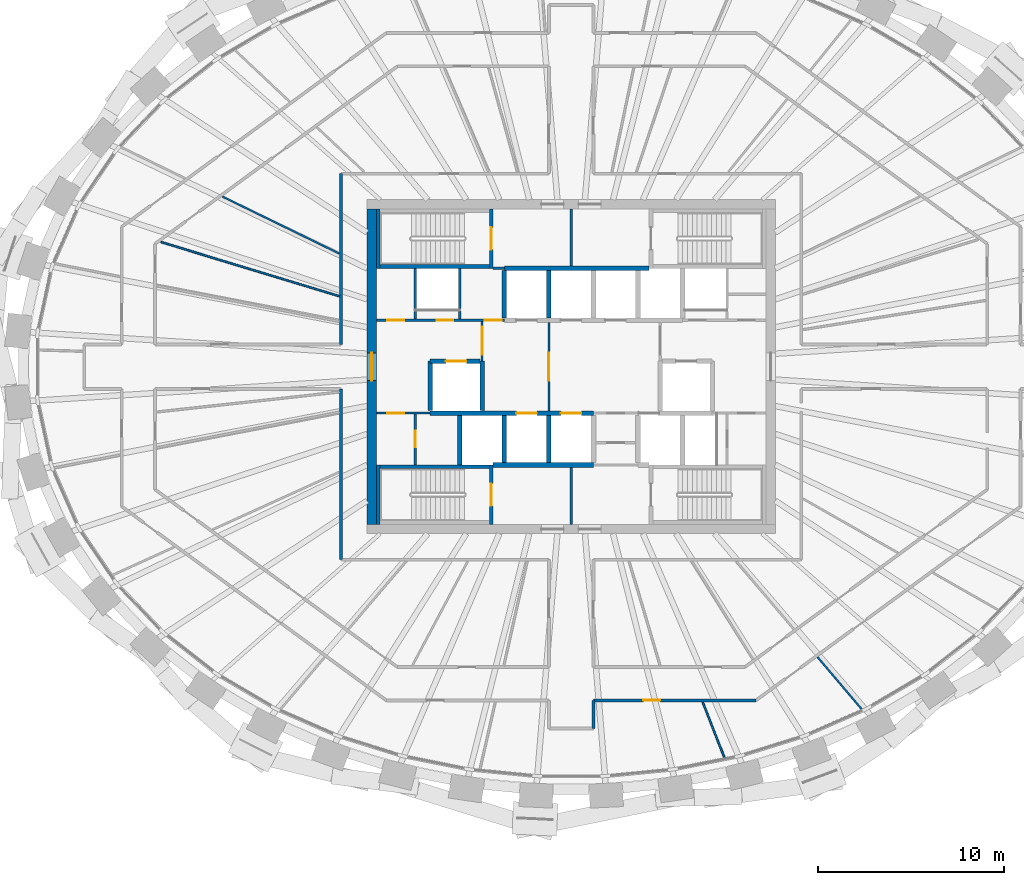
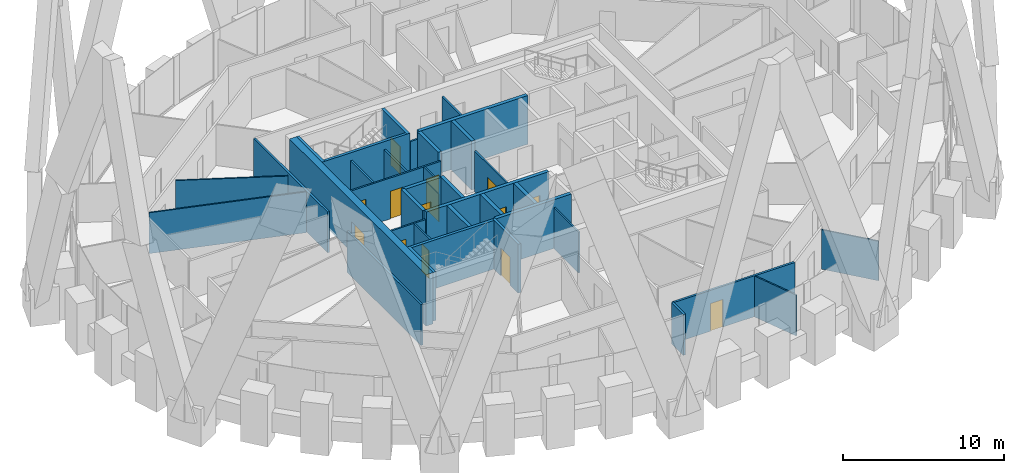
# One storey, part 8 of 13: 36 walls, 14 doors, 14 openings.
"""IFC4 building model written with IfcOpenShell, lengths in metres."""

from ifc_helpers import new_model, si_unit, direction, frame, frame_2d, origin, place, context, subcontext, project, spatial, rectangle, extrude, source, transform, mapped, material, layer, layer_set, type_object, element, fill, save


model = new_model("IFC4")

# Units and contexts
model_context = context("Model", 3, precision=1e-05, world=origin(), true_north=direction((0.0, 1.0)))
body_context = subcontext(model_context, "Body", "Model", "MODEL_VIEW")
ifc_project = project(units=[si_unit("LENGTHUNIT", "METRE"), si_unit("AREAUNIT", "SQUARE_METRE"), si_unit("VOLUMEUNIT", "CUBIC_METRE"), si_unit("PLANEANGLEUNIT", "RADIAN"), si_unit("MASSUNIT", "GRAM", prefix="KILO")], contexts=[model_context])

# Site, building, storey
site_placement = place(None, origin())
site = spatial("IfcSite", under=ifc_project, at=site_placement, CompositionType="ELEMENT")
building_placement = place(site_placement, origin())
building = spatial("IfcBuilding", under=site, at=building_placement, Name="Embergate Tower", CompositionType="ELEMENT")
storey_placement = place(building_placement, frame((0.0, 0.0, 316.89990234375)))
storey = spatial("IfcBuildingStorey", under=building, at=storey_placement, Name="L74", CompositionType="ELEMENT", Elevation=316.89990234375)

# Wall, opening, door
ifc_material_1 = material(Name="Concrete C50", Category="concrete")
ifc_layer_1 = layer(ifc_material_1, 0.5)
ifc_layer_set_1 = layer_set([ifc_layer_1], Name="Concrete C50")
wall_type_1 = type_object("IfcWallType", Name="Core outer wall C50 500", PredefinedType="SHEAR", material=ifc_layer_set_1)
shared_shape_1 = source(origin(), body_context, "Body", "SweptSolid", [
    extrude(rectangle(XDim=17.0, YDim=0.5, at=frame_2d((8.5, 0.0))), origin(), (0.0, 0.0, 1.0), 3.900146484375),
])
wall_1_placement = place(storey_placement, frame((-10.75, -8.5, -0.199951171875), z_axis=(0.0, 0.0, 1.0), x_axis=(0.0, 1.0, 0.0)))
wall_1 = element("IfcWall", 1, at=wall_1_placement, inside=storey, type_object=wall_type_1, Name="CW-L74-W", PredefinedType="SHEAR", context=body_context, shape_type="MappedRepresentation", body=[
    mapped(shared_shape_1, transform((0.0, 0.0, 0.0))),
])
shared_shape_2 = source(origin(), body_context, "Body", "SweptSolid", [
    extrude(rectangle(XDim=1.5, YDim=2.10009765625, at=frame_2d((0.75, 1.050048828125))), frame((0.0, 0.260009765625, 0.0), z_axis=(0.0, -1.0, 0.0), x_axis=(1.0, 0.0, 0.0)), (0.0, 0.0, 1.0), 0.52001953125),
])
opening_1_placement = place(wall_1_placement, frame((7.75, 0.0, 0.199951171875)))
opening_1 = element("IfcOpeningElement", 2, at=opening_1_placement, cuts=wall_1, Name="Opening IF-3", PredefinedType="OPENING", context=body_context, shape_type="MappedRepresentation", body=[
    mapped(shared_shape_2, transform((0.0, 0.0, 0.0))),
])
ifc_material_2 = material(Name="Lobby fire door pair 1500")
door_type_1 = type_object("IfcDoorType", Name="Lobby fire door pair 1500", OperationType="DOUBLE_DOOR_SINGLE_SWING", PredefinedType="DOOR", material=ifc_material_2)
shared_shape_3 = source(origin(), body_context, "Body", "SweptSolid", [
    extrude(rectangle(XDim=1.5, YDim=2.10009765625, at=frame_2d((0.75, 1.050048828125))), frame((0.0, 0.02490234375, 0.0), z_axis=(0.0, -1.0, 0.0), x_axis=(1.0, 0.0, 0.0)), (0.0, 0.0, 1.0), 0.050048828125),
])
door_1_placement = place(opening_1_placement, origin())
door_1 = element("IfcDoor", 3, at=door_1_placement, inside=storey, type_object=door_type_1, Name="IF-3 door", OperationType="DOUBLE_DOOR_SINGLE_SWING", OverallHeight=2.10009765625, OverallWidth=1.5, PredefinedType="DOOR", context=body_context, shape_type="MappedRepresentation", body=[
    mapped(shared_shape_3, transform((0.0, 0.0, 0.0))),
])
fill(opening_1, door_1)

# Walls
ifc_material_3 = material(Name="Core partition blockwork 120")
ifc_layer_2 = layer(ifc_material_3, 0.1201171875)
ifc_layer_set_2 = layer_set([ifc_layer_2], Name="Core partition blockwork 120")
wall_type_2 = type_object("IfcWallType", Name="Core partition blockwork 120", PredefinedType="PARTITIONING", material=ifc_layer_set_2)
shared_shape_4 = source(origin(), body_context, "Body", "SweptSolid", [
    extrude(rectangle(XDim=2.739990234375, YDim=0.1201171875, at=frame_2d((1.3701171875, 0.0))), origin(), (0.0, 0.0, 1.0), 3.10009765625),
])
for number, where, z_axis, x_axis, name in (
    (4, (-6.0, 2.56005859375, 0.0), (0.0, 0.0, 1.0), (0.0, 1.0, 0.0), "IP-3 wall"),
    (5, (-8.39990234375, 5.300048828125, 0.0), (0.0, 0.0, 1.0), (0.0, -1.0, 0.0), "IP-3 wall"),
):
    element("IfcWall", number, at=place(storey_placement, frame(where, z_axis=z_axis, x_axis=x_axis)), inside=storey, type_object=wall_type_2, Name=name, PredefinedType="PARTITIONING", context=body_context, shape_type="MappedRepresentation", body=[
        mapped(shared_shape_4, transform((0.0, 0.0, 0.0))),
    ])

# Wall, opening, door
wall_2_placement = place(storey_placement, frame((-8.39990234375, -2.56005859375, 0.0), z_axis=(0.0, 0.0, 1.0), x_axis=(0.0, -1.0, 0.0)))
wall_2 = element("IfcWall", 6, at=wall_2_placement, inside=storey, type_object=wall_type_2, Name="IP-3 wall", PredefinedType="PARTITIONING", context=body_context, shape_type="MappedRepresentation", body=[
    mapped(shared_shape_4, transform((0.0, 0.0, 0.0))),
])
shared_shape_5 = source(origin(), body_context, "Body", "SweptSolid", [
    extrude(rectangle(XDim=0.89990234375, YDim=2.10009765625, at=frame_2d((0.449951171875, 1.050048828125))), frame((0.0, 0.070068359375, 0.0), z_axis=(0.0, -1.0, 0.0), x_axis=(1.0, 0.0, 0.0)), (0.0, 0.0, 1.0), 0.14013671875),
])
opening_2_placement = place(wall_2_placement, frame((0.889892578125, 0.0, 0.0)))
opening_2 = element("IfcOpeningElement", 7, at=opening_2_placement, cuts=wall_2, Name="Opening ID-1", PredefinedType="OPENING", context=body_context, shape_type="MappedRepresentation", body=[
    mapped(shared_shape_5, transform((0.0, 0.0, 0.0))),
])
ifc_material_4 = material(Name="Interior door 900")
door_type_2 = type_object("IfcDoorType", Name="Interior door 900", OperationType="SINGLE_SWING_LEFT", PredefinedType="DOOR", material=ifc_material_4)
shared_shape_6 = source(origin(), body_context, "Body", "SweptSolid", [
    extrude(rectangle(XDim=0.89990234375, YDim=2.10009765625, at=frame_2d((0.449951171875, 1.050048828125))), frame((0.0, 0.02490234375, 0.0), z_axis=(0.0, -1.0, 0.0), x_axis=(1.0, 0.0, 0.0)), (0.0, 0.0, 1.0), 0.050048828125),
])
door_2_placement = place(opening_2_placement, origin())
door_2 = element("IfcDoor", 8, at=door_2_placement, inside=storey, type_object=door_type_2, Name="ID-1 door", OperationType="SINGLE_SWING_LEFT", OverallHeight=2.10009765625, OverallWidth=0.89990234375, PredefinedType="DOOR", context=body_context, shape_type="MappedRepresentation", body=[
    mapped(shared_shape_6, transform((0.0, 0.0, 0.0))),
])
fill(opening_2, door_2)

shared_shape_7 = source(origin(), body_context, "Body", "SweptSolid", [
    extrude(rectangle(XDim=4.75, YDim=0.1201171875, at=frame_2d((2.375, 0.0))), origin(), (0.0, 0.0, 1.0), 3.10009765625),
])
wall_3_placement = place(storey_placement, frame((-1.199951171875, -2.375, 0.0), z_axis=(0.0, 0.0, 1.0), x_axis=(0.0, 1.0, 0.0)))
wall_3 = element("IfcWall", 9, at=wall_3_placement, inside=storey, type_object=wall_type_2, Name="IP-3 wall", PredefinedType="PARTITIONING", context=body_context, shape_type="MappedRepresentation", body=[
    mapped(shared_shape_7, transform((0.0, 0.0, 0.0))),
])
shared_shape_8 = source(origin(), body_context, "Body", "SweptSolid", [
    extrude(rectangle(XDim=1.5, YDim=2.10009765625, at=frame_2d((0.75, 1.050048828125))), frame((0.0, 0.070068359375, 0.0), z_axis=(0.0, -1.0, 0.0), x_axis=(1.0, 0.0, 0.0)), (0.0, 0.0, 1.0), 0.14013671875),
])
opening_3_placement = place(wall_3_placement, frame((1.625, 0.0, 0.0)))
opening_3 = element("IfcOpeningElement", 10, at=opening_3_placement, cuts=wall_3, Name="Opening IF-3", PredefinedType="OPENING", context=body_context, shape_type="MappedRepresentation", body=[
    mapped(shared_shape_8, transform((0.0, 0.0, 0.0))),
])
door_3_placement = place(opening_3_placement, origin())
door_3 = element("IfcDoor", 11, at=door_3_placement, inside=storey, type_object=door_type_1, Name="IF-3 door", OperationType="DOUBLE_DOOR_SINGLE_SWING", OverallHeight=2.10009765625, OverallWidth=1.5, PredefinedType="DOOR", context=body_context, shape_type="MappedRepresentation", body=[
    mapped(shared_shape_3, transform((0.0, 0.0, 0.0))),
])
fill(opening_3, door_3)

# Walls
ifc_layer_3 = layer(ifc_material_1, 0.25)
ifc_layer_set_3 = layer_set([ifc_layer_3], Name="Concrete C50")
wall_type_3 = type_object("IfcWallType", Name="Hoistway wall reinforced concrete 250", PredefinedType="SHEAR", material=ifc_layer_set_3)
shared_shape_9 = source(origin(), body_context, "Body", "SweptSolid", [
    extrude(rectangle(XDim=2.675048828125, YDim=0.25, at=frame_2d((1.33740234375, 0.0))), origin(), (0.0, 0.0, 1.0), 3.7001953125),
])
for number, where, z_axis, x_axis, name in (
    (12, (-6.0, -5.300048828125, 0.0), (0.0, 0.0, 1.0), (0.0, 1.0, 0.0), "HW-1 wall"),
    (13, (-4.800048828125, 0.300048828125, 0.0), (0.0, 0.0, 1.0), (0.0, -1.0, 0.0), "HW-1 wall"),
):
    element("IfcWall", number, at=place(storey_placement, frame(where, z_axis=z_axis, x_axis=x_axis)), inside=storey, type_object=wall_type_3, Name=name, PredefinedType="SHEAR", context=body_context, shape_type="MappedRepresentation", body=[
        mapped(shared_shape_9, transform((0.0, 0.0, 0.0))),
    ])

# Wall, opening, door
wall_4_placement = place(storey_placement, frame((-4.925048828125, 0.300048828125, 0.0), z_axis=(0.0, 0.0, 1.0), x_axis=(-1.0, 0.0, 0.0)))
wall_4 = element("IfcWall", 14, at=wall_4_placement, inside=storey, type_object=wall_type_3, Name="HW-1 wall", PredefinedType="SHEAR", context=body_context, shape_type="MappedRepresentation", body=[
    mapped(shared_shape_9, transform((0.0, 0.0, 0.0))),
])
shared_shape_10 = source(origin(), body_context, "Body", "SweptSolid", [
    extrude(rectangle(XDim=1.10009765625, YDim=2.10009765625, at=frame_2d((0.550048828125, 1.050048828125))), frame((0.0, 0.135009765625, 0.0), z_axis=(0.0, -1.0, 0.0), x_axis=(1.0, 0.0, 0.0)), (0.0, 0.0, 1.0), 0.27001953125),
])
opening_4_placement = place(wall_4_placement, frame((0.72509765625, 0.0, 0.0)))
opening_4 = element("IfcOpeningElement", 15, at=opening_4_placement, cuts=wall_4, Name="Opening LD", PredefinedType="OPENING", context=body_context, shape_type="MappedRepresentation", body=[
    mapped(shared_shape_10, transform((0.0, 0.0, 0.0))),
])
ifc_material_5 = material(Name="Landing door sliding 1100")
door_type_3 = type_object("IfcDoorType", Name="Landing door sliding 1100", OperationType="SLIDING_TO_LEFT", PredefinedType="DOOR", material=ifc_material_5)
shared_shape_11 = source(origin(), body_context, "Body", "SweptSolid", [
    extrude(rectangle(XDim=1.10009765625, YDim=2.10009765625, at=frame_2d((0.550048828125, 1.050048828125))), frame((0.0, 0.02490234375, 0.0), z_axis=(0.0, -1.0, 0.0), x_axis=(1.0, 0.0, 0.0)), (0.0, 0.0, 1.0), 0.050048828125),
])
door_4_placement = place(opening_4_placement, origin())
door_4 = element("IfcDoor", 16, at=door_4_placement, inside=storey, type_object=door_type_3, Name="LD door", OperationType="SLIDING_TO_LEFT", OverallHeight=2.10009765625, OverallWidth=1.10009765625, PredefinedType="DOOR", context=body_context, shape_type="MappedRepresentation", body=[
    mapped(shared_shape_11, transform((0.0, 0.0, 0.0))),
])
fill(opening_4, door_4)

# Walls
wall_5_placement = place(storey_placement, frame((-7.60009765625, 0.300048828125, 0.0), z_axis=(0.0, 0.0, 1.0), x_axis=(0.0, -1.0, 0.0)))
element("IfcWall", 17, at=wall_5_placement, inside=storey, type_object=wall_type_3, Name="HW-1 wall", PredefinedType="SHEAR", context=body_context, shape_type="MappedRepresentation", body=[
    mapped(shared_shape_9, transform((0.0, 0.0, 0.0))),
])
ifc_layer_4 = layer(ifc_material_1, 0.199951171875)
ifc_layer_set_4 = layer_set([ifc_layer_4], Name="Concrete C50")
wall_type_4 = type_object("IfcWallType", Name="Stair enclosure wall reinforced concrete 250", PredefinedType="SHEAR", material=ifc_layer_set_4)
shared_shape_12 = source(origin(), body_context, "Body", "SweptSolid", [
    extrude(rectangle(XDim=6.300048828125, YDim=0.199951171875, at=frame_2d((3.14990234375, 0.0))), origin(), (0.0, 0.0, 1.0), 3.7001953125),
])
for number, where, z_axis, x_axis, name in (
    (18, (-4.199951171875, 5.39990234375, 0.0), (0.0, 0.0, 1.0), (-1.0, 0.0, 0.0), "SE-1 wall"),
    (19, (-10.5, -5.39990234375, 0.0), (0.0, 0.0, 1.0), (1.0, 0.0, 0.0), "SE-1 wall"),
):
    element("IfcWall", number, at=place(storey_placement, frame(where, z_axis=z_axis, x_axis=x_axis)), inside=storey, type_object=wall_type_4, Name=name, PredefinedType="SHEAR", context=body_context, shape_type="MappedRepresentation", body=[
        mapped(shared_shape_12, transform((0.0, 0.0, 0.0))),
    ])
shared_shape_13 = source(origin(), body_context, "Body", "SweptSolid", [
    extrude(rectangle(XDim=2.550048828125, YDim=0.25, at=frame_2d((1.27490234375, 0.0))), origin(), (0.0, 0.0, 1.0), 3.7001953125),
])
for number, where, z_axis, x_axis, name in (
    (20, (-1.199951171875, 2.625, 0.0), (0.0, 0.0, 1.0), (0.0, 1.0, 0.0), "HW-1 wall"),
    (21, (-3.60009765625, 5.175048828125, 0.0), (0.0, 0.0, 1.0), (0.0, -1.0, 0.0), "HW-1 wall"),
    (22, (-3.60009765625, -5.175048828125, 0.0), (0.0, 0.0, 1.0), (0.0, 1.0, 0.0), "HW-1 wall"),
    (23, (-1.199951171875, -5.175048828125, 0.0), (0.0, 0.0, 1.0), (0.0, 1.0, 0.0), "HW-1 wall"),
):
    element("IfcWall", number, at=place(storey_placement, frame(where, z_axis=z_axis, x_axis=x_axis)), inside=storey, type_object=wall_type_3, Name=name, PredefinedType="SHEAR", context=body_context, shape_type="MappedRepresentation", body=[
        mapped(shared_shape_13, transform((0.0, 0.0, 0.0))),
    ])

# Wall, opening, door
shared_shape_14 = source(origin(), body_context, "Body", "SweptSolid", [
    extrude(rectangle(XDim=3.199951171875, YDim=0.199951171875, at=frame_2d((1.60009765625, 0.0))), origin(), (0.0, 0.0, 1.0), 3.7001953125),
])
wall_6_placement = place(storey_placement, frame((-4.300048828125, 5.300048828125, 0.0), z_axis=(0.0, 0.0, 1.0), x_axis=(0.0, 1.0, 0.0)))
wall_6 = element("IfcWall", 24, at=wall_6_placement, inside=storey, type_object=wall_type_4, Name="SE-1 wall", PredefinedType="SHEAR", context=body_context, shape_type="MappedRepresentation", body=[
    mapped(shared_shape_14, transform((0.0, 0.0, 0.0))),
])
shared_shape_15 = source(origin(), body_context, "Body", "SweptSolid", [
    extrude(rectangle(XDim=1.199951171875, YDim=2.10009765625, at=frame_2d((0.60009765625, 1.050048828125))), frame((0.0, 0.10986328125, 0.0), z_axis=(0.0, -1.0, 0.0), x_axis=(1.0, 0.0, 0.0)), (0.0, 0.0, 1.0), 0.219970703125),
])
opening_5_placement = place(wall_6_placement, frame((1.0, 0.0, 0.0)))
opening_5 = element("IfcOpeningElement", 25, at=opening_5_placement, cuts=wall_6, Name="Opening IF-2", PredefinedType="OPENING", context=body_context, shape_type="MappedRepresentation", body=[
    mapped(shared_shape_15, transform((0.0, 0.0, 0.0))),
])
ifc_material_6 = material(Name="Stair enclosure door 1200")
door_type_4 = type_object("IfcDoorType", Name="Stair enclosure door 1200", OperationType="SINGLE_SWING_LEFT", PredefinedType="DOOR", material=ifc_material_6)
shared_shape_16 = source(origin(), body_context, "Body", "SweptSolid", [
    extrude(rectangle(XDim=1.199951171875, YDim=2.10009765625, at=frame_2d((0.60009765625, 1.050048828125))), frame((0.0, 0.02490234375, 0.0), z_axis=(0.0, -1.0, 0.0), x_axis=(1.0, 0.0, 0.0)), (0.0, 0.0, 1.0), 0.050048828125),
])
door_5_placement = place(opening_5_placement, origin())
door_5 = element("IfcDoor", 26, at=door_5_placement, inside=storey, type_object=door_type_4, Name="IF-2 door", OperationType="SINGLE_SWING_LEFT", OverallHeight=2.10009765625, OverallWidth=1.199951171875, PredefinedType="DOOR", context=body_context, shape_type="MappedRepresentation", body=[
    mapped(shared_shape_16, transform((0.0, 0.0, 0.0))),
])
fill(opening_5, door_5)

wall_7_placement = place(storey_placement, frame((-4.300048828125, -8.5, 0.0), z_axis=(0.0, 0.0, 1.0), x_axis=(0.0, 1.0, 0.0)))
wall_7 = element("IfcWall", 27, at=wall_7_placement, inside=storey, type_object=wall_type_4, Name="SE-1 wall", PredefinedType="SHEAR", context=body_context, shape_type="MappedRepresentation", body=[
    mapped(shared_shape_14, transform((0.0, 0.0, 0.0))),
])
opening_6_placement = place(wall_7_placement, frame((1.0, 0.0, 0.0)))
opening_6 = element("IfcOpeningElement", 28, at=opening_6_placement, cuts=wall_7, Name="Opening IF-2", PredefinedType="OPENING", context=body_context, shape_type="MappedRepresentation", body=[
    mapped(shared_shape_15, transform((0.0, 0.0, 0.0))),
])
door_6_placement = place(opening_6_placement, origin())
door_6 = element("IfcDoor", 29, at=door_6_placement, inside=storey, type_object=door_type_4, Name="IF-2 door", OperationType="SINGLE_SWING_LEFT", OverallHeight=2.10009765625, OverallWidth=1.199951171875, PredefinedType="DOOR", context=body_context, shape_type="MappedRepresentation", body=[
    mapped(shared_shape_16, transform((0.0, 0.0, 0.0))),
])
fill(opening_6, door_6)

# Walls
ifc_material_7 = material(Name="Corridor wall dry-lined 150")
ifc_layer_5 = layer(ifc_material_7, 0.14990234375)
ifc_layer_set_5 = layer_set([ifc_layer_5], Name="Corridor wall dry-lined 150")
wall_type_5 = type_object("IfcWallType", Name="Corridor wall dry-lined 150", PredefinedType="PARTITIONING", material=ifc_layer_set_5)
shared_shape_17 = source(origin(), body_context, "Body", "SweptSolid", [
    extrude(rectangle(XDim=9.199951171875, YDim=0.14990234375, at=frame_2d((4.60009765625, 0.0))), origin(), (0.0, 0.0, 1.0), 3.10009765625),
])
for number, where, z_axis, x_axis, name in (
    (30, (-12.39990234375, -10.39990234375, 0.0), (0.0, 0.0, 1.0), (0.0, 1.0, 0.0), "IP-2 wall"),
    (31, (-12.39990234375, 10.39990234375, 0.0), (0.0, 0.0, 1.0), (0.0, -1.0, 0.0), "IP-2 wall"),
):
    element("IfcWall", number, at=place(storey_placement, frame(where, z_axis=z_axis, x_axis=x_axis)), inside=storey, type_object=wall_type_5, Name=name, PredefinedType="PARTITIONING", context=body_context, shape_type="MappedRepresentation", body=[
        mapped(shared_shape_17, transform((0.0, 0.0, 0.0))),
    ])

# Wall, opening, door
shared_shape_18 = source(origin(), body_context, "Body", "SweptSolid", [
    extrude(rectangle(XDim=2.89990234375, YDim=0.1201171875, at=frame_2d((1.449951171875, 0.0))), origin(), (0.0, 0.0, 1.0), 3.10009765625),
])
wall_8_placement = place(storey_placement, frame((-7.60009765625, -2.5, 0.0), z_axis=(0.0, 0.0, 1.0), x_axis=(-1.0, 0.0, 0.0)))
wall_8 = element("IfcWall", 32, at=wall_8_placement, inside=storey, type_object=wall_type_2, Name="IP-3 wall", PredefinedType="PARTITIONING", context=body_context, shape_type="MappedRepresentation", body=[
    mapped(shared_shape_18, transform((0.0, 0.0, 0.0))),
])
opening_7_placement = place(wall_8_placement, frame((1.39990234375, 0.0, 0.0)))
opening_7 = element("IfcOpeningElement", 33, at=opening_7_placement, cuts=wall_8, Name="Opening ID-1", PredefinedType="OPENING", context=body_context, shape_type="MappedRepresentation", body=[
    mapped(shared_shape_5, transform((0.0, 0.0, 0.0))),
])
door_7_placement = place(opening_7_placement, origin())
door_7 = element("IfcDoor", 34, at=door_7_placement, inside=storey, type_object=door_type_2, Name="ID-1 door", OperationType="SINGLE_SWING_LEFT", OverallHeight=2.10009765625, OverallWidth=0.89990234375, PredefinedType="DOOR", context=body_context, shape_type="MappedRepresentation", body=[
    mapped(shared_shape_6, transform((0.0, 0.0, 0.0))),
])
fill(opening_7, door_7)

shared_shape_19 = source(origin(), body_context, "Body", "SweptSolid", [
    extrude(rectangle(XDim=2.139892578125, YDim=0.1201171875, at=frame_2d((1.06982421875, 0.0))), origin(), (0.0, 0.0, 1.0), 3.10009765625),
])
wall_9_placement = place(storey_placement, frame((-4.800048828125, 2.43994140625, 0.0), z_axis=(0.0, 0.0, 1.0), x_axis=(0.0, -1.0, 0.0)))
wall_9 = element("IfcWall", 35, at=wall_9_placement, inside=storey, type_object=wall_type_2, Name="IP-3 wall", PredefinedType="PARTITIONING", context=body_context, shape_type="MappedRepresentation", body=[
    mapped(shared_shape_19, transform((0.0, 0.0, 0.0))),
])
opening_8_placement = place(wall_9_placement, frame((0.2900390625, 0.0, 0.0)))
opening_8 = element("IfcOpeningElement", 36, at=opening_8_placement, cuts=wall_9, Name="Opening IF-3", PredefinedType="OPENING", context=body_context, shape_type="MappedRepresentation", body=[
    mapped(shared_shape_8, transform((0.0, 0.0, 0.0))),
])
door_8_placement = place(opening_8_placement, origin())
door_8 = element("IfcDoor", 37, at=door_8_placement, inside=storey, type_object=door_type_1, Name="IF-3 door", OperationType="DOUBLE_DOOR_SINGLE_SWING", OverallHeight=2.10009765625, OverallWidth=1.5, PredefinedType="DOOR", context=body_context, shape_type="MappedRepresentation", body=[
    mapped(shared_shape_3, transform((0.0, 0.0, 0.0))),
])
fill(opening_8, door_8)

# Walls
shared_shape_20 = source(origin(), body_context, "Body", "SweptSolid", [
    extrude(rectangle(XDim=3.074951171875, YDim=0.1201171875, at=frame_2d((1.53759765625, 0.0))), origin(), (0.0, 0.0, 1.0), 3.10009765625),
])
for number, where, z_axis, x_axis, name in (
    (38, (0.0, 5.425048828125, 0.0), (0.0, 0.0, 1.0), (0.0, 1.0, 0.0), "IP-3 wall"),
    (39, (0.0, -8.5, 0.0), (0.0, 0.0, 1.0), (0.0, 1.0, 0.0), "IP-3 wall"),
):
    element("IfcWall", number, at=place(storey_placement, frame(where, z_axis=z_axis, x_axis=x_axis)), inside=storey, type_object=wall_type_2, Name=name, PredefinedType="PARTITIONING", context=body_context, shape_type="MappedRepresentation", body=[
        mapped(shared_shape_20, transform((0.0, 0.0, 0.0))),
    ])
shared_shape_21 = source(origin(), body_context, "Body", "SweptSolid", [
    extrude(rectangle(XDim=0.599853515625, YDim=0.1201171875, at=frame_2d((0.2998046875, 0.0))), origin(), (0.0, 0.0, 1.0), 3.10009765625),
])
wall_10_placement = place(storey_placement, frame((-4.199951171875, 5.300048828125, 0.0), z_axis=(0.0, 0.0, 1.0), x_axis=(1.0, 0.0, 0.0)))
element("IfcWall", 40, at=wall_10_placement, inside=storey, type_object=wall_type_2, Name="IP-3 wall", PredefinedType="PARTITIONING", context=body_context, shape_type="MappedRepresentation", body=[
    mapped(shared_shape_21, transform((0.0, 0.0, 0.0))),
])
shared_shape_22 = source(origin(), body_context, "Body", "SweptSolid", [
    extrude(rectangle(XDim=7.800048828125, YDim=0.25, at=frame_2d((3.89990234375, 0.0))), origin(), (0.0, 0.0, 1.0), 3.7001953125),
])
wall_11_placement = place(storey_placement, frame((4.199951171875, 5.300048828125, 0.0), z_axis=(0.0, 0.0, 1.0), x_axis=(-1.0, 0.0, 0.0)))
element("IfcWall", 41, at=wall_11_placement, inside=storey, type_object=wall_type_3, Name="HW-1 wall", PredefinedType="SHEAR", context=body_context, shape_type="MappedRepresentation", body=[
    mapped(shared_shape_22, transform((0.0, 0.0, 0.0))),
])

# Wall, openings, doors
shared_shape_23 = source(origin(), body_context, "Body", "SweptSolid", [
    extrude(rectangle(XDim=8.800048828125, YDim=0.25, at=frame_2d((4.39990234375, 0.0))), origin(), (0.0, 0.0, 1.0), 3.7001953125),
])
wall_12_placement = place(storey_placement, frame((1.199951171875, -2.5, 0.0), z_axis=(0.0, 0.0, 1.0), x_axis=(-1.0, 0.0, 0.0)))
wall_12 = element("IfcWall", 42, at=wall_12_placement, inside=storey, type_object=wall_type_3, Name="HW-1 wall", PredefinedType="SHEAR", context=body_context, shape_type="MappedRepresentation", body=[
    mapped(shared_shape_23, transform((0.0, 0.0, 0.0))),
])
opening_9_placement = place(wall_12_placement, frame((3.050048828125, 0.0, 0.0)))
opening_9 = element("IfcOpeningElement", 43, at=opening_9_placement, cuts=wall_12, Name="Opening LD", PredefinedType="OPENING", context=body_context, shape_type="MappedRepresentation", body=[
    mapped(shared_shape_10, transform((0.0, 0.0, 0.0))),
])
opening_10_placement = place(wall_12_placement, frame((0.64990234375, 0.0, 0.0)))
opening_10 = element("IfcOpeningElement", 44, at=opening_10_placement, cuts=wall_12, Name="Opening LD", PredefinedType="OPENING", context=body_context, shape_type="MappedRepresentation", body=[
    mapped(shared_shape_10, transform((0.0, 0.0, 0.0))),
])
door_9_placement = place(opening_9_placement, origin())
door_9 = element("IfcDoor", 45, at=door_9_placement, inside=storey, type_object=door_type_3, Name="LD door", OperationType="SLIDING_TO_RIGHT", OverallHeight=2.10009765625, OverallWidth=1.10009765625, PredefinedType="DOOR", context=body_context, shape_type="MappedRepresentation", body=[
    mapped(shared_shape_11, transform((0.0, 0.0, 0.0))),
])
fill(opening_9, door_9)
door_10_placement = place(opening_10_placement, origin())
door_10 = element("IfcDoor", 46, at=door_10_placement, inside=storey, type_object=door_type_3, Name="LD door", OperationType="SLIDING_TO_RIGHT", OverallHeight=2.10009765625, OverallWidth=1.10009765625, PredefinedType="DOOR", context=body_context, shape_type="MappedRepresentation", body=[
    mapped(shared_shape_11, transform((0.0, 0.0, 0.0))),
])
fill(opening_10, door_10)

# Walls
shared_shape_24 = source(origin(), body_context, "Body", "SweptSolid", [
    extrude(rectangle(XDim=5.39990234375, YDim=0.25, at=frame_2d((2.699951171875, 0.0))), origin(), (0.0, 0.0, 1.0), 3.7001953125),
])
wall_13_placement = place(storey_placement, frame((-4.199951171875, -5.300048828125, 0.0), z_axis=(0.0, 0.0, 1.0), x_axis=(1.0, 0.0, 0.0)))
element("IfcWall", 47, at=wall_13_placement, inside=storey, type_object=wall_type_3, Name="HW-1 wall", PredefinedType="SHEAR", context=body_context, shape_type="MappedRepresentation", body=[
    mapped(shared_shape_24, transform((0.0, 0.0, 0.0))),
])
shared_shape_25 = source(origin(), body_context, "Body", "SweptSolid", [
    extrude(rectangle(XDim=3.197998046875, YDim=0.199951171875, at=frame_2d((1.59912109375, 0.0))), origin(), (0.0, 0.0, 1.0), 3.7001953125),
])
for number, where, z_axis, x_axis, name in (
    (48, (-10.39990234375, 8.5, 0.0), (0.0, 0.0, 1.0), (0.0, -1.0, 0.0), "SE-1 wall"),
    (49, (-10.39990234375, -5.302001953125, 0.0), (0.0, 0.0, 1.0), (0.0, -1.0, 0.0), "SE-1 wall"),
):
    element("IfcWall", number, at=place(storey_placement, frame(where, z_axis=z_axis, x_axis=x_axis)), inside=storey, type_object=wall_type_4, Name=name, PredefinedType="SHEAR", context=body_context, shape_type="MappedRepresentation", body=[
        mapped(shared_shape_25, transform((0.0, 0.0, 0.0))),
    ])

# Wall, openings, doors
shared_shape_26 = source(origin(), body_context, "Body", "SweptSolid", [
    extrude(rectangle(XDim=6.89990234375, YDim=0.1201171875, at=frame_2d((3.449951171875, 0.0))), origin(), (0.0, 0.0, 1.0), 3.10009765625),
])
wall_14_placement = place(storey_placement, frame((-10.5, 2.5, 0.0), z_axis=(0.0, 0.0, 1.0), x_axis=(1.0, 0.0, 0.0)))
wall_14 = element("IfcWall", 50, at=wall_14_placement, inside=storey, type_object=wall_type_2, Name="IP-3 wall", PredefinedType="PARTITIONING", context=body_context, shape_type="MappedRepresentation", body=[
    mapped(shared_shape_26, transform((0.0, 0.0, 0.0))),
])
opening_11_placement = place(wall_14_placement, frame((3.25, 0.0, 0.0)))
opening_11 = element("IfcOpeningElement", 51, at=opening_11_placement, cuts=wall_14, Name="Opening ID-1", PredefinedType="OPENING", context=body_context, shape_type="MappedRepresentation", body=[
    mapped(shared_shape_5, transform((0.0, 0.0, 0.0))),
])
opening_12_placement = place(wall_14_placement, frame((5.85009765625, 0.0, 0.0)))
opening_12 = element("IfcOpeningElement", 52, at=opening_12_placement, cuts=wall_14, Name="Opening ID-1", PredefinedType="OPENING", context=body_context, shape_type="MappedRepresentation", body=[
    mapped(shared_shape_5, transform((0.0, 0.0, 0.0))),
])
opening_13_placement = place(wall_14_placement, frame((0.60009765625, 0.0, 0.0)))
opening_13 = element("IfcOpeningElement", 53, at=opening_13_placement, cuts=wall_14, Name="Opening ID-1", PredefinedType="OPENING", context=body_context, shape_type="MappedRepresentation", body=[
    mapped(shared_shape_5, transform((0.0, 0.0, 0.0))),
])
door_11_placement = place(opening_11_placement, origin())
door_11 = element("IfcDoor", 54, at=door_11_placement, inside=storey, type_object=door_type_2, Name="ID-1 door", OperationType="SINGLE_SWING_LEFT", OverallHeight=2.10009765625, OverallWidth=0.89990234375, PredefinedType="DOOR", context=body_context, shape_type="MappedRepresentation", body=[
    mapped(shared_shape_6, transform((0.0, 0.0, 0.0))),
])
fill(opening_11, door_11)
door_12_placement = place(opening_12_placement, origin())
door_12 = element("IfcDoor", 55, at=door_12_placement, inside=storey, type_object=door_type_2, Name="ID-1 door", OperationType="SINGLE_SWING_RIGHT", OverallHeight=2.10009765625, OverallWidth=0.89990234375, PredefinedType="DOOR", context=body_context, shape_type="MappedRepresentation", body=[
    mapped(shared_shape_6, transform((0.0, 0.0, 0.0))),
])
fill(opening_12, door_12)
door_13_placement = place(opening_13_placement, origin())
door_13 = element("IfcDoor", 56, at=door_13_placement, inside=storey, type_object=door_type_2, Name="ID-1 door", OperationType="SINGLE_SWING_RIGHT", OverallHeight=2.10009765625, OverallWidth=0.89990234375, PredefinedType="DOOR", context=body_context, shape_type="MappedRepresentation", body=[
    mapped(shared_shape_6, transform((0.0, 0.0, 0.0))),
])
fill(opening_13, door_13)

# Wall, opening, door
shared_shape_27 = source(origin(), body_context, "Body", "SweptSolid", [
    extrude(rectangle(XDim=8.7529296875, YDim=0.14990234375, at=frame_2d((4.37646484375, 0.0))), origin(), (0.0, 0.0, 1.0), 3.10009765625),
])
wall_15_placement = place(storey_placement, frame((9.952880859375, -17.98291015625, 0.0), z_axis=(0.0, 0.0, 1.0), x_axis=(-1.0, 0.0, 0.0)))
wall_15 = element("IfcWall", 57, at=wall_15_placement, inside=storey, type_object=wall_type_5, Name="IP-2 wall", PredefinedType="PARTITIONING", context=body_context, shape_type="MappedRepresentation", body=[
    mapped(shared_shape_27, transform((0.0, 0.0, 0.0))),
])
shared_shape_28 = source(origin(), body_context, "Body", "SweptSolid", [
    extrude(rectangle(XDim=0.89990234375, YDim=2.10009765625, at=frame_2d((0.449951171875, 1.050048828125))), frame((0.0, 0.0849609375, 0.0), z_axis=(0.0, -1.0, 0.0), x_axis=(1.0, 0.0, 0.0)), (0.0, 0.0, 1.0), 0.169921875),
])
opening_14_placement = place(wall_15_placement, frame((5.16064453125, 0.0, 0.0)))
opening_14 = element("IfcOpeningElement", 58, at=opening_14_placement, cuts=wall_15, Name="Opening IF-1c", PredefinedType="OPENING", context=body_context, shape_type="MappedRepresentation", body=[
    mapped(shared_shape_28, transform((0.0, 0.0, 0.0))),
])
ifc_material_8 = material(Name="Escape fire door 900")
door_type_5 = type_object("IfcDoorType", Name="Escape fire door 900", OperationType="SINGLE_SWING_LEFT", PredefinedType="DOOR", material=ifc_material_8)
door_14_placement = place(opening_14_placement, origin())
door_14 = element("IfcDoor", 59, at=door_14_placement, inside=storey, type_object=door_type_5, Name="IF-1 door", OperationType="SINGLE_SWING_LEFT", OverallHeight=2.10009765625, OverallWidth=0.89990234375, PredefinedType="DOOR", context=body_context, shape_type="MappedRepresentation", body=[
    mapped(shared_shape_6, transform((0.0, 0.0, 0.0))),
])
fill(opening_14, door_14)

# Walls
shared_shape_29 = source(origin(), body_context, "Body", "SweptSolid", [
    extrude(rectangle(XDim=1.508056640625, YDim=0.14990234375, at=frame_2d((0.75390625, 0.0))), origin(), (0.0, 0.0, 1.0), 3.10009765625),
])
wall_16_placement = place(storey_placement, frame((1.199951171875, -17.98291015625, 0.0), z_axis=(0.0, 0.0, 1.0), x_axis=(0.0, -1.0, 0.0)))
element("IfcWall", 60, at=wall_16_placement, inside=storey, type_object=wall_type_5, Name="IP-2 wall", PredefinedType="PARTITIONING", context=body_context, shape_type="MappedRepresentation", body=[
    mapped(shared_shape_29, transform((0.0, 0.0, 0.0))),
])
ifc_material_9 = material(Name="Partition dry-lined 100")
ifc_layer_6 = layer(ifc_material_9, 0.10009765625)
ifc_layer_set_6 = layer_set([ifc_layer_6], Name="Partition dry-lined 100")
wall_type_6 = type_object("IfcWallType", Name="Partition dry-lined 100", PredefinedType="PARTITIONING", material=ifc_layer_set_6)
shared_shape_30 = source(origin(), body_context, "Body", "SweptSolid", [
    extrude(rectangle(XDim=3.768798828125, YDim=0.10009765625, at=frame_2d((1.88427734375, 0.0))), origin(), (0.0, 0.0, 1.0), 3.0),
])
wall_17_placement = place(storey_placement, frame((13.27099609375, -15.64501953125, 0.0), z_axis=(0.0, 0.0, 1.0), x_axis=(0.646888419483, -0.762584665948, 0.0)))
element("IfcWall", 61, at=wall_17_placement, inside=storey, type_object=wall_type_6, Name="IP-1 wall", PredefinedType="PARTITIONING", context=body_context, shape_type="MappedRepresentation", body=[
    mapped(shared_shape_30, transform((0.0, 0.0, 0.0))),
])
shared_shape_31 = source(origin(), body_context, "Body", "SweptSolid", [
    extrude(rectangle(XDim=3.30322265625, YDim=0.10009765625, at=frame_2d((1.651611328125, 0.0))), origin(), (0.0, 0.0, 1.0), 3.10009765625),
])
wall_18_placement = place(storey_placement, frame((7.0859375, -18.076904296875, 0.0), z_axis=(0.0, 0.0, 1.0), x_axis=(0.365112649523, -0.930963346839, 0.0)))
element("IfcWall", 62, at=wall_18_placement, inside=storey, type_object=wall_type_6, Name="IP-1 wall", PredefinedType="PARTITIONING", context=body_context, shape_type="MappedRepresentation", body=[
    mapped(shared_shape_31, transform((0.0, 0.0, 0.0))),
])
ifc_material_10 = material(Name="Partition dry-lined 100 wet")
ifc_layer_7 = layer(ifc_material_10, 0.10009765625)
ifc_layer_set_7 = layer_set([ifc_layer_7], Name="Partition dry-lined 100 wet")
wall_type_7 = type_object("IfcWallType", Name="Partition dry-lined 100 wet", PredefinedType="PLUMBINGWALL", material=ifc_layer_set_7)
shared_shape_32 = source(origin(), body_context, "Body", "SweptSolid", [
    extrude(rectangle(XDim=6.99365234375, YDim=0.10009765625, at=frame_2d((3.496826171875, 0.0))), origin(), (0.0, 0.0, 1.0), 2.900146484375),
])
wall_19_placement = place(storey_placement, frame((-12.4970703125, 6.094970703125, 0.0), z_axis=(0.0, 0.0, 1.0), x_axis=(-0.898789245471, 0.438380989809, 0.0)))
element("IfcWall", 63, at=wall_19_placement, inside=storey, type_object=wall_type_7, Name="IP-1 wall", PredefinedType="PLUMBINGWALL", context=body_context, shape_type="MappedRepresentation", body=[
    mapped(shared_shape_32, transform((0.0, 0.0, 0.0))),
])
shared_shape_33 = source(origin(), body_context, "Body", "SweptSolid", [
    extrude(rectangle(XDim=10.052978515625, YDim=0.10009765625, at=frame_2d((5.0263671875, 0.0))), origin(), (0.0, 0.0, 1.0), 3.10009765625),
])
wall_20_placement = place(storey_placement, frame((-12.489013671875, 3.7939453125, 0.0), z_axis=(0.0, 0.0, 1.0), x_axis=(-0.956822577391, 0.290672591406, 0.0)))
element("IfcWall", 64, at=wall_20_placement, inside=storey, type_object=wall_type_7, Name="IP-1 wall", PredefinedType="PLUMBINGWALL", context=body_context, shape_type="MappedRepresentation", body=[
    mapped(shared_shape_33, transform((0.0, 0.0, 0.0))),
])

save(model, "model.ifc")
